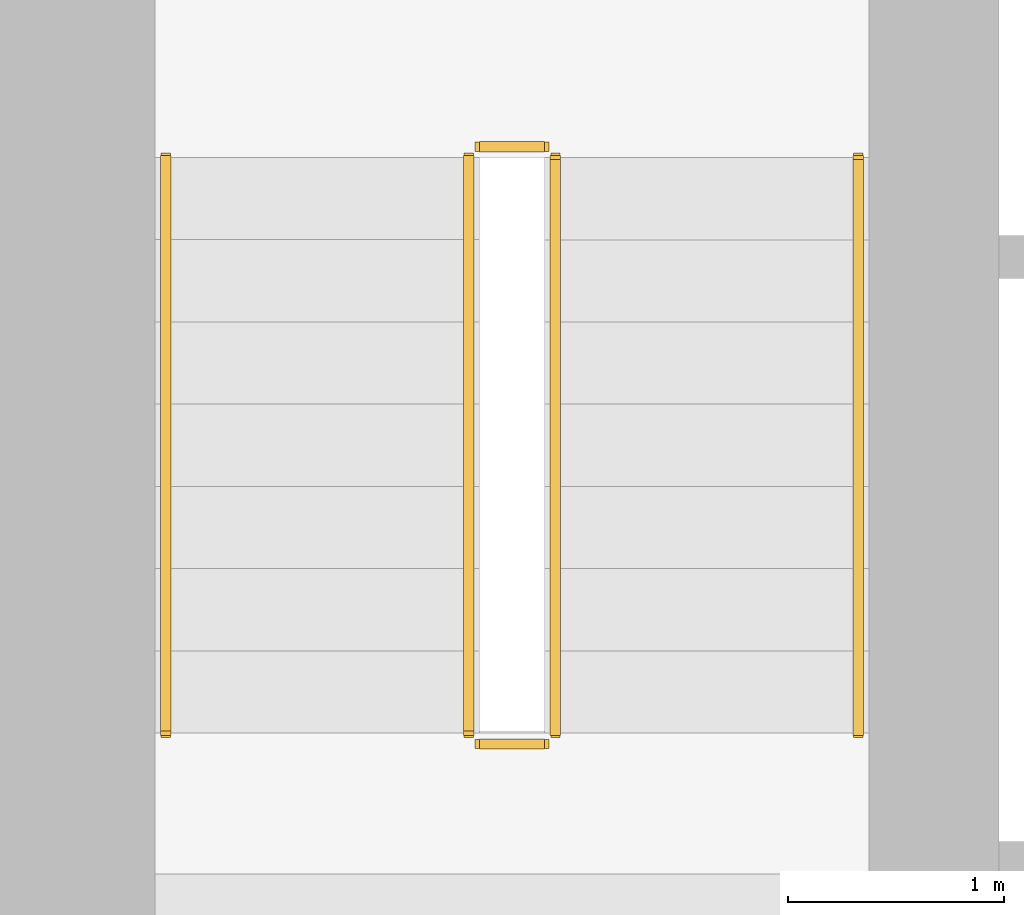
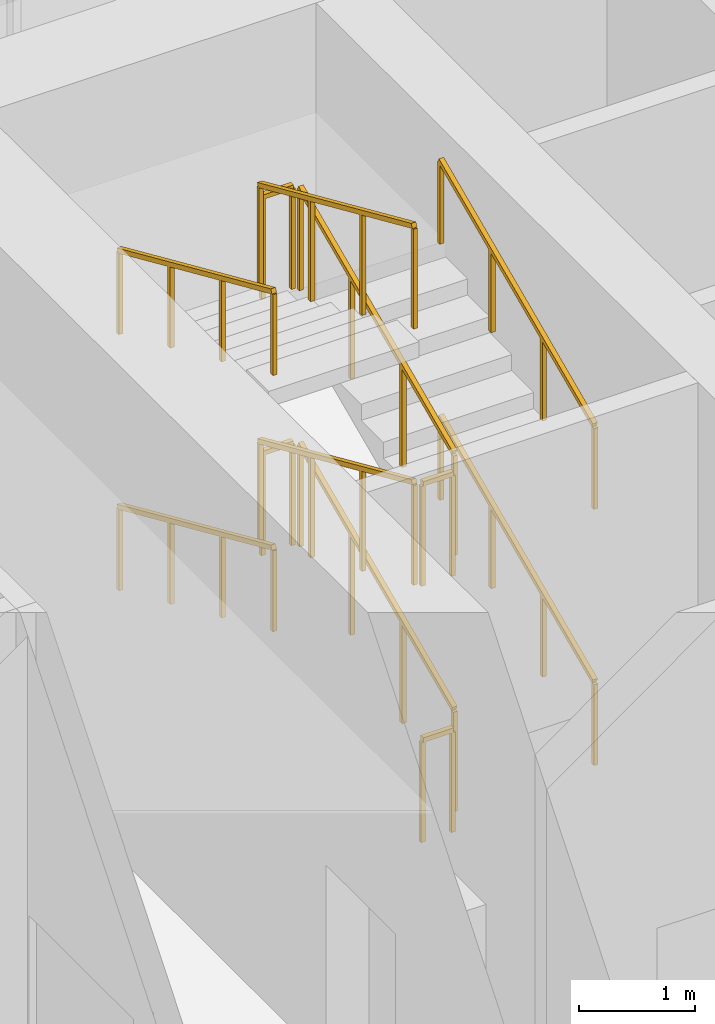
# One storey, part 13 of 16: 12 railings.
"""IFC4 building model written with IfcOpenShell, lengths in metres."""

from ifc_helpers import new_model, si_unit, direction, frame, origin, origin_2d, place, context, subcontext, project, spatial, rectangle, extrude, material, type_object, element, save


model = new_model("IFC4")

# Units and contexts
model_context = context("Model", 3, precision=1e-05, world=origin(), true_north=direction((0.0, 1.0)))
body_context = subcontext(model_context, "Body", "Model", "MODEL_VIEW")
ifc_project = project(units=[si_unit("LENGTHUNIT", "METRE"), si_unit("AREAUNIT", "SQUARE_METRE"), si_unit("VOLUMEUNIT", "CUBIC_METRE"), si_unit("PLANEANGLEUNIT", "RADIAN"), si_unit("MASSUNIT", "GRAM", prefix="KILO")], contexts=[model_context])

# Site, building, storey
site_placement = place(None, origin())
site = spatial("IfcSite", under=ifc_project, at=site_placement, CompositionType="ELEMENT")
building_placement = place(site_placement, origin())
building = spatial("IfcBuilding", under=site, at=building_placement, Name="Rattan Terrace Tower", CompositionType="ELEMENT")
storey_placement = place(building_placement, frame((0.0, 0.0, 27.0)))
storey = spatial("IfcBuildingStorey", under=building, at=storey_placement, Name="L05", CompositionType="ELEMENT", Elevation=27.0)

# Railings
ifc_material_1 = material(Name="Powder-coated steel guard", Category="steel")
railing_type_1 = type_object("IfcRailingType", Name="Core stair guard", PredefinedType="GUARDRAIL", material=ifc_material_1)
railing_1_placement = place(storey_placement, frame((-15.25, 1.699951171875, 0.168701171875)))
element("IfcRailing", 1, at=railing_1_placement, inside=storey, type_object=railing_type_1, Name="L05 S1 stair guard 1", PredefinedType="GUARDRAIL", context=body_context, shape_type="SweptSolid", body=[
    extrude(rectangle(XDim=0.048095703125, YDim=0.048095703125, at=origin_2d()), frame((0.0, 0.0, 1.076171875), z_axis=(0.0, 0.913925654661, 0.405881630223), x_axis=(-1.0, 0.0, 0.0)), (0.0, 0.0, 1.0), 2.91064453125),
    extrude(rectangle(XDim=0.0419921875, YDim=0.0419921875, at=origin_2d()), origin(), (0.0, 0.0, 1.0), 1.052001953125),
    extrude(rectangle(XDim=0.0419921875, YDim=0.0419921875, at=origin_2d()), frame((0.0, 0.88671875, 0.393798828125)), (0.0, 0.0, 1.0), 1.052001953125),
    extrude(rectangle(XDim=0.0419921875, YDim=0.0419921875, at=origin_2d()), frame((0.0, 1.7734375, 0.78759765625)), (0.0, 0.0, 1.0), 1.052001953125),
    extrude(rectangle(XDim=0.0419921875, YDim=0.0419921875, at=origin_2d()), frame((0.0, 2.66015625, 1.181396484375)), (0.0, 0.0, 1.0), 1.052001953125),
])
railing_2_placement = place(storey_placement, frame((-15.300048828125, 4.409912109375, 1.35009765625)))
element("IfcRailing", 2, at=railing_2_placement, inside=storey, type_object=railing_type_1, Name="L05 S1 stair guard 2", PredefinedType="GUARDRAIL", context=body_context, shape_type="SweptSolid", body=[
    extrude(rectangle(XDim=0.048095703125, YDim=0.048095703125, at=origin_2d()), frame((0.0, 0.0, 1.076171875), z_axis=(-1.0, 0.0, 0.0), x_axis=(0.0, -1.0, 0.0)), (0.0, 0.0, 1.0), 0.300048828125),
    extrude(rectangle(XDim=0.0419921875, YDim=0.0419921875, at=origin_2d()), origin(), (0.0, 0.0, 1.0), 1.052001953125),
    extrude(rectangle(XDim=0.0419921875, YDim=0.0419921875, at=origin_2d()), frame((-0.300048828125, 0.0, 0.0)), (0.0, 0.0, 1.0), 1.052001953125),
])
railing_3_placement = place(storey_placement, frame((-15.64990234375, 4.360107421875, 1.518798828125)))
element("IfcRailing", 3, at=railing_3_placement, inside=storey, type_object=railing_type_1, Name="L05 S1 stair guard 3", PredefinedType="GUARDRAIL", context=body_context, shape_type="SweptSolid", body=[
    extrude(rectangle(XDim=0.048095703125, YDim=0.048095703125, at=origin_2d()), frame((0.0, 0.0, 1.076171875), z_axis=(0.0, -0.913956766905, 0.405811567391), x_axis=(1.0, 0.0, 0.0)), (0.0, 0.0, 1.0), 2.91064453125),
    extrude(rectangle(XDim=0.0419921875, YDim=0.0419921875, at=origin_2d()), origin(), (0.0, 0.0, 1.0), 1.052001953125),
    extrude(rectangle(XDim=0.0419921875, YDim=0.0419921875, at=origin_2d()), frame((0.0, -0.88671875, 0.393798828125)), (0.0, 0.0, 1.0), 1.052001953125),
    extrude(rectangle(XDim=0.0419921875, YDim=0.0419921875, at=origin_2d()), frame((0.0, -1.7734375, 0.787353515625)), (0.0, 0.0, 1.0), 1.052001953125),
    extrude(rectangle(XDim=0.0419921875, YDim=0.0419921875, at=origin_2d()), frame((0.0, -2.66015625, 1.18115234375)), (0.0, 0.0, 1.0), 1.052001953125),
])
railing_4_placement = place(storey_placement, frame((-15.300048828125, 1.64990234375, 2.699951171875)))
element("IfcRailing", 4, at=railing_4_placement, inside=storey, type_object=railing_type_1, Name="L05 S1 stair guard 4", PredefinedType="GUARDRAIL", context=body_context, shape_type="SweptSolid", body=[
    extrude(rectangle(XDim=0.048095703125, YDim=0.048095703125, at=origin_2d()), frame((0.0, 0.0, 1.076171875), z_axis=(-1.0, 0.0, 0.0), x_axis=(0.0, -1.0, 0.0)), (0.0, 0.0, 1.0), 0.300048828125),
    extrude(rectangle(XDim=0.0419921875, YDim=0.0419921875, at=origin_2d()), origin(), (0.0, 0.0, 1.0), 1.052001953125),
    extrude(rectangle(XDim=0.0419921875, YDim=0.0419921875, at=origin_2d()), frame((-0.300048828125, 0.0, 0.0)), (0.0, 0.0, 1.0), 1.052001953125),
])
railing_5_placement = place(storey_placement, frame((-15.25, 1.699951171875, 2.86865234375)))
element("IfcRailing", 5, at=railing_5_placement, inside=storey, type_object=railing_type_1, Name="L05 S1 stair guard 5", PredefinedType="GUARDRAIL", context=body_context, shape_type="SweptSolid", body=[
    extrude(rectangle(XDim=0.048095703125, YDim=0.048095703125, at=origin_2d()), frame((0.0, 0.0, 1.076171875), z_axis=(0.0, 0.913925654661, 0.405881630223), x_axis=(-1.0, 0.0, 0.0)), (0.0, 0.0, 1.0), 2.91064453125),
    extrude(rectangle(XDim=0.0419921875, YDim=0.0419921875, at=origin_2d()), origin(), (0.0, 0.0, 1.0), 1.052001953125),
    extrude(rectangle(XDim=0.0419921875, YDim=0.0419921875, at=origin_2d()), frame((0.0, 0.88671875, 0.393798828125)), (0.0, 0.0, 1.0), 1.052001953125),
    extrude(rectangle(XDim=0.0419921875, YDim=0.0419921875, at=origin_2d()), frame((0.0, 1.7734375, 0.78759765625)), (0.0, 0.0, 1.0), 1.052001953125),
    extrude(rectangle(XDim=0.0419921875, YDim=0.0419921875, at=origin_2d()), frame((0.0, 2.66015625, 1.181396484375)), (0.0, 0.0, 1.0), 1.052001953125),
])
railing_6_placement = place(storey_placement, frame((-15.300048828125, 4.409912109375, 4.050048828125)))
element("IfcRailing", 6, at=railing_6_placement, inside=storey, type_object=railing_type_1, Name="L05 S1 stair guard 6", PredefinedType="GUARDRAIL", context=body_context, shape_type="SweptSolid", body=[
    extrude(rectangle(XDim=0.048095703125, YDim=0.048095703125, at=origin_2d()), frame((0.0, 0.0, 1.076171875), z_axis=(-1.0, 0.0, 0.0), x_axis=(0.0, -1.0, 0.0)), (0.0, 0.0, 1.0), 0.300048828125),
    extrude(rectangle(XDim=0.0419921875, YDim=0.0419921875, at=origin_2d()), origin(), (0.0, 0.0, 1.0), 1.052001953125),
    extrude(rectangle(XDim=0.0419921875, YDim=0.0419921875, at=origin_2d()), frame((-0.300048828125, 0.0, 0.0)), (0.0, 0.0, 1.0), 1.052001953125),
])
railing_7_placement = place(storey_placement, frame((-15.64990234375, 4.360107421875, 4.21875)))
element("IfcRailing", 7, at=railing_7_placement, inside=storey, type_object=railing_type_1, Name="L05 S1 stair guard 7", PredefinedType="GUARDRAIL", context=body_context, shape_type="SweptSolid", body=[
    extrude(rectangle(XDim=0.048095703125, YDim=0.048095703125, at=origin_2d()), frame((0.0, 0.0, 1.076171875), z_axis=(0.0, -0.913956766905, 0.405811567391), x_axis=(1.0, 0.0, 0.0)), (0.0, 0.0, 1.0), 2.91064453125),
    extrude(rectangle(XDim=0.0419921875, YDim=0.0419921875, at=origin_2d()), origin(), (0.0, 0.0, 1.0), 1.052001953125),
    extrude(rectangle(XDim=0.0419921875, YDim=0.0419921875, at=origin_2d()), frame((0.0, -0.88671875, 0.393798828125)), (0.0, 0.0, 1.0), 1.052001953125),
    extrude(rectangle(XDim=0.0419921875, YDim=0.0419921875, at=origin_2d()), frame((0.0, -1.7734375, 0.787353515625)), (0.0, 0.0, 1.0), 1.052001953125),
    extrude(rectangle(XDim=0.0419921875, YDim=0.0419921875, at=origin_2d()), frame((0.0, -2.66015625, 1.18115234375)), (0.0, 0.0, 1.0), 1.052001953125),
])
railing_8_placement = place(storey_placement, frame((-15.300048828125, 1.64990234375, 0.0)))
element("IfcRailing", 8, at=railing_8_placement, inside=storey, type_object=railing_type_1, Name="L05 S1 stair guard 8", PredefinedType="GUARDRAIL", context=body_context, shape_type="SweptSolid", body=[
    extrude(rectangle(XDim=0.048095703125, YDim=0.048095703125, at=origin_2d()), frame((0.0, 0.0, 1.076171875), z_axis=(-1.0, 0.0, 0.0), x_axis=(0.0, -1.0, 0.0)), (0.0, 0.0, 1.0), 0.300048828125),
    extrude(rectangle(XDim=0.0419921875, YDim=0.0419921875, at=origin_2d()), origin(), (0.0, 0.0, 1.0), 1.052001953125),
    extrude(rectangle(XDim=0.0419921875, YDim=0.0419921875, at=origin_2d()), frame((-0.300048828125, 0.0, 0.0)), (0.0, 0.0, 1.0), 1.052001953125),
])
ifc_material_2 = material(Name="Powder-coated steel handrail", Category="steel")
railing_type_2 = type_object("IfcRailingType", Name="Core stair handrail", PredefinedType="HANDRAIL", material=ifc_material_2)
railing_9_placement = place(storey_placement, frame((-13.85009765625, 1.699951171875, 0.168701171875)))
element("IfcRailing", 9, at=railing_9_placement, inside=storey, type_object=railing_type_2, Name="L05 S1 stair handrail 1", PredefinedType="HANDRAIL", context=body_context, shape_type="SweptSolid", body=[
    extrude(rectangle(XDim=0.048095703125, YDim=0.048095703125, at=origin_2d()), frame((0.0, 0.0, 0.8759765625), z_axis=(0.0, 0.913925654661, 0.405881630223), x_axis=(-1.0, 0.0, 0.0)), (0.0, 0.0, 1.0), 2.91064453125),
    extrude(rectangle(XDim=0.0419921875, YDim=0.0419921875, at=origin_2d()), origin(), (0.0, 0.0, 1.0), 0.851806640625),
    extrude(rectangle(XDim=0.0419921875, YDim=0.0419921875, at=origin_2d()), frame((0.0, 0.88671875, 0.393798828125)), (0.0, 0.0, 1.0), 0.851806640625),
    extrude(rectangle(XDim=0.0419921875, YDim=0.0419921875, at=origin_2d()), frame((0.0, 1.7734375, 0.78759765625)), (0.0, 0.0, 1.0), 0.851806640625),
    extrude(rectangle(XDim=0.0419921875, YDim=0.0419921875, at=origin_2d()), frame((0.0, 2.66015625, 1.181396484375)), (0.0, 0.0, 1.0), 0.851806640625),
])
railing_10_placement = place(storey_placement, frame((-17.050048828125, 4.360107421875, 1.518798828125)))
element("IfcRailing", 10, at=railing_10_placement, inside=storey, type_object=railing_type_2, Name="L05 S1 stair handrail 2", PredefinedType="HANDRAIL", context=body_context, shape_type="SweptSolid", body=[
    extrude(rectangle(XDim=0.048095703125, YDim=0.048095703125, at=origin_2d()), frame((0.0, 0.0, 0.8759765625), z_axis=(0.0, -0.913956766905, 0.405811567391), x_axis=(1.0, 0.0, 0.0)), (0.0, 0.0, 1.0), 2.91064453125),
    extrude(rectangle(XDim=0.0419921875, YDim=0.0419921875, at=origin_2d()), origin(), (0.0, 0.0, 1.0), 0.851806640625),
    extrude(rectangle(XDim=0.0419921875, YDim=0.0419921875, at=origin_2d()), frame((0.0, -0.88671875, 0.393798828125)), (0.0, 0.0, 1.0), 0.851806640625),
    extrude(rectangle(XDim=0.0419921875, YDim=0.0419921875, at=origin_2d()), frame((0.0, -1.7734375, 0.787353515625)), (0.0, 0.0, 1.0), 0.851806640625),
    extrude(rectangle(XDim=0.0419921875, YDim=0.0419921875, at=origin_2d()), frame((0.0, -2.66015625, 1.18115234375)), (0.0, 0.0, 1.0), 0.851806640625),
])
railing_11_placement = place(storey_placement, frame((-13.85009765625, 1.699951171875, 2.86865234375)))
element("IfcRailing", 11, at=railing_11_placement, inside=storey, type_object=railing_type_2, Name="L05 S1 stair handrail 3", PredefinedType="HANDRAIL", context=body_context, shape_type="SweptSolid", body=[
    extrude(rectangle(XDim=0.048095703125, YDim=0.048095703125, at=origin_2d()), frame((0.0, 0.0, 0.8759765625), z_axis=(0.0, 0.913925654661, 0.405881630223), x_axis=(-1.0, 0.0, 0.0)), (0.0, 0.0, 1.0), 2.91064453125),
    extrude(rectangle(XDim=0.0419921875, YDim=0.0419921875, at=origin_2d()), origin(), (0.0, 0.0, 1.0), 0.851806640625),
    extrude(rectangle(XDim=0.0419921875, YDim=0.0419921875, at=origin_2d()), frame((0.0, 0.88671875, 0.393798828125)), (0.0, 0.0, 1.0), 0.851806640625),
    extrude(rectangle(XDim=0.0419921875, YDim=0.0419921875, at=origin_2d()), frame((0.0, 1.7734375, 0.78759765625)), (0.0, 0.0, 1.0), 0.851806640625),
    extrude(rectangle(XDim=0.0419921875, YDim=0.0419921875, at=origin_2d()), frame((0.0, 2.66015625, 1.181396484375)), (0.0, 0.0, 1.0), 0.851806640625),
])
railing_12_placement = place(storey_placement, frame((-17.050048828125, 4.360107421875, 4.21875)))
element("IfcRailing", 12, at=railing_12_placement, inside=storey, type_object=railing_type_2, Name="L05 S1 stair handrail 4", PredefinedType="HANDRAIL", context=body_context, shape_type="SweptSolid", body=[
    extrude(rectangle(XDim=0.048095703125, YDim=0.048095703125, at=origin_2d()), frame((0.0, 0.0, 0.8759765625), z_axis=(0.0, -0.913956766905, 0.405811567391), x_axis=(1.0, 0.0, 0.0)), (0.0, 0.0, 1.0), 2.91064453125),
    extrude(rectangle(XDim=0.0419921875, YDim=0.0419921875, at=origin_2d()), origin(), (0.0, 0.0, 1.0), 0.851806640625),
    extrude(rectangle(XDim=0.0419921875, YDim=0.0419921875, at=origin_2d()), frame((0.0, -0.88671875, 0.393798828125)), (0.0, 0.0, 1.0), 0.851806640625),
    extrude(rectangle(XDim=0.0419921875, YDim=0.0419921875, at=origin_2d()), frame((0.0, -1.7734375, 0.787353515625)), (0.0, 0.0, 1.0), 0.851806640625),
    extrude(rectangle(XDim=0.0419921875, YDim=0.0419921875, at=origin_2d()), frame((0.0, -2.66015625, 1.18115234375)), (0.0, 0.0, 1.0), 0.851806640625),
])

save(model, "model.ifc")
